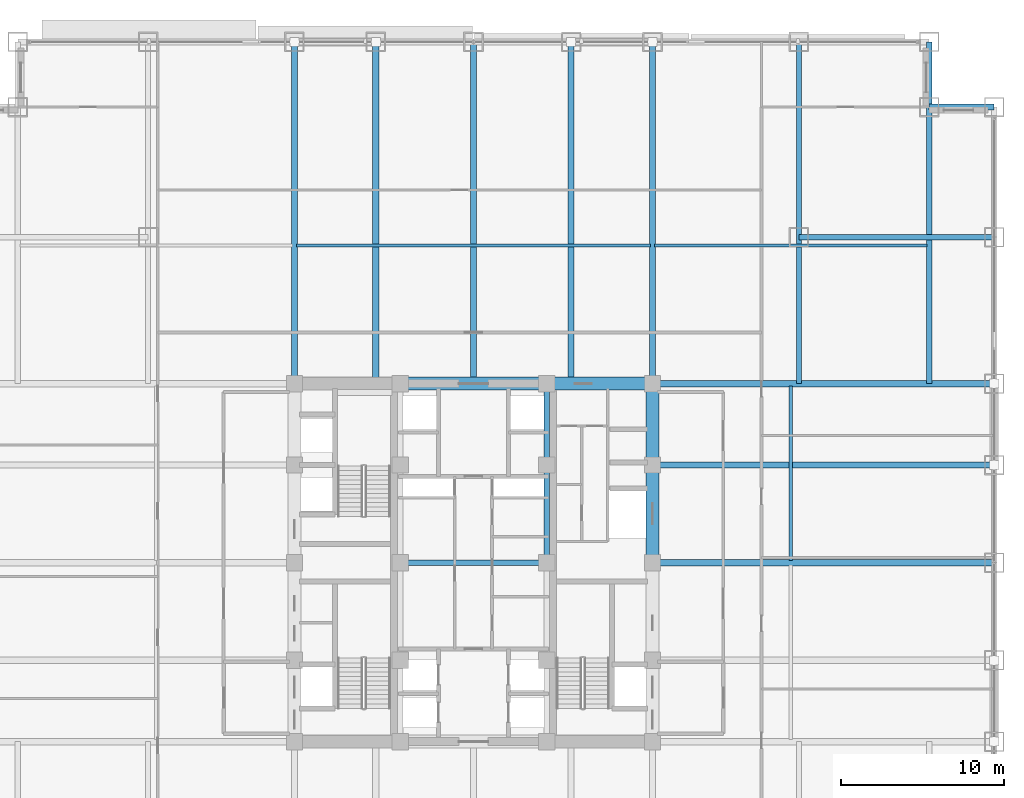
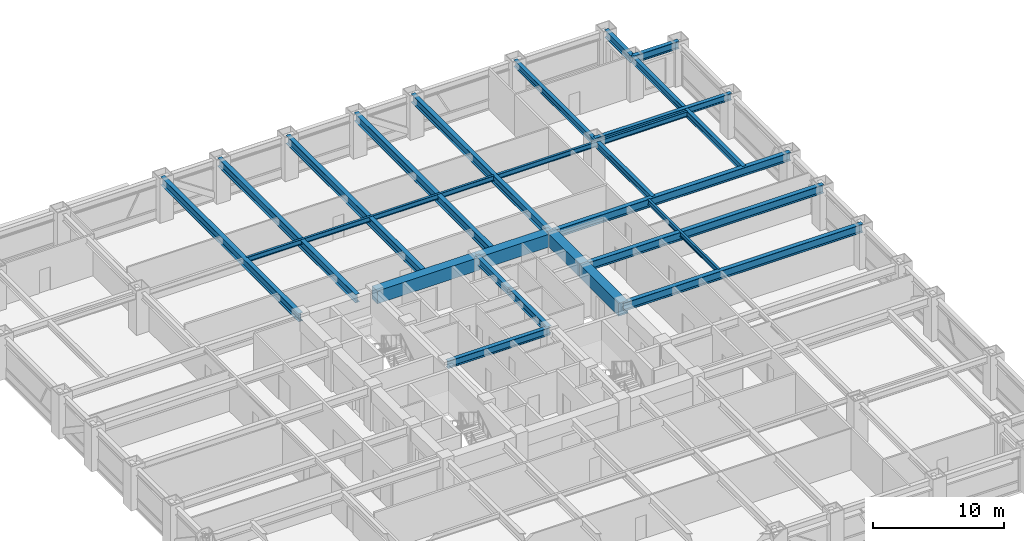
# One storey, part 11 of 32: 23 beams.
"""IFC4 building model written with IfcOpenShell, lengths in metres."""

import ifcopenshell
import ifcopenshell.guid

model = None  # the IFC model being written
_history = None  # IfcOwnerHistory: only IFC2X3 demands one
_inside = {}  # id of a spatial element -> (the spatial element, [elements in it])
_under = {}  # id of a project, library or spatial element -> (it, [spatial elements below it])
_declared = {}  # id of a project -> (the project, [libraries it declares])
_typed = {}  # id of a type object -> (the type object, [elements of that type])
_made_of = {}  # id of a material, layer set ... -> (it, [elements and type objects made of it])


def new_model(schema):
    """Start an empty IFC model of exactly this schema.

    Asked for "IFC4X3", IfcOpenShell would pick the latest addendum, in which some entities
    have other attributes; the version numbers below select the first issue.
    IFC2X3 requires an IfcOwnerHistory on every rooted entity: one is made here for all.
    """
    global model, _history
    if schema == "IFC4X3":
        model = ifcopenshell.file(schema_version=(4, 3, 0, 0))
    else:
        model = ifcopenshell.file(schema=schema)
    _inside.clear()
    _under.clear()
    _declared.clear()
    _typed.clear()
    _made_of.clear()
    _history = None
    if model.schema == "IFC2X3":
        org = make("IfcOrganization", Name="unknown")
        user = make(
            "IfcPersonAndOrganization",
            ThePerson=make("IfcPerson", FamilyName="unknown"),
            TheOrganization=org,
        )
        app = make(
            "IfcApplication",
            ApplicationDeveloper=org,
            Version="unknown",
            ApplicationFullName="unknown",
            ApplicationIdentifier="unknown",
        )
        _history = make(
            "IfcOwnerHistory",
            OwningUser=user,
            OwningApplication=app,
            ChangeAction="ADDED",
            CreationDate=0,
        )
    return model


def make(cls, **values):
    """One entity of the class cls with the attributes given. An attribute that is None is left unset."""
    return model.create_entity(
        cls, **{name: value for name, value in values.items() if value is not None}
    )


def rooted(cls, **values):
    """An entity with a GlobalId (a new one), such as an element, a storey or a relation."""
    return make(cls, GlobalId=ifcopenshell.guid.new(), OwnerHistory=_history, **values)


def si_unit(unit_type, name, prefix=None):
    """IfcSIUnit, for example si_unit("LENGTHUNIT", "METRE", prefix="MILLI")."""
    return make("IfcSIUnit", UnitType=unit_type, Prefix=prefix, Name=name)


def assignment(units):
    """IfcUnitAssignment: the units of a project."""
    return None if units is None else make("IfcUnitAssignment", Units=units)


def point(xyz):
    """IfcCartesianPoint."""
    return None if xyz is None else make("IfcCartesianPoint", Coordinates=xyz)


def direction(xyz):
    """IfcDirection."""
    return None if xyz is None else make("IfcDirection", DirectionRatios=xyz)


def frame(location, z_axis=None, x_axis=None):
    """IfcAxis2Placement3D, a coordinate frame: its origin and axes. An axis left out is left unset."""
    return make(
        "IfcAxis2Placement3D",
        Location=point(location),
        Axis=direction(z_axis),
        RefDirection=direction(x_axis),
    )


def frame_2d(location, x_axis=None):
    """IfcAxis2Placement2D, a coordinate frame in the plane: its origin and x axis."""
    return make(
        "IfcAxis2Placement2D", Location=point(location), RefDirection=direction(x_axis)
    )


def origin():
    """The frame at (0, 0, 0) with its axes left unset."""
    return frame((0.0, 0.0, 0.0))


def origin_2d():
    """The frame at (0, 0) in the plane with its x axis left unset."""
    return frame_2d((0.0, 0.0))


def place(relative_to, where):
    """IfcLocalPlacement: puts the frame where relative to a parent placement (None: the world)."""
    return make(
        "IfcLocalPlacement", PlacementRelTo=relative_to, RelativePlacement=where
    )


def context(
    kind, dimensions, precision=None, world=None, true_north=None, identifier=None
):
    """IfcGeometricRepresentationContext, for example the 3D "Model" context."""
    return make(
        "IfcGeometricRepresentationContext",
        ContextIdentifier=identifier,
        ContextType=kind,
        CoordinateSpaceDimension=dimensions,
        Precision=precision,
        WorldCoordinateSystem=world,
        TrueNorth=true_north,
    )


def subcontext(parent, identifier, kind, view, scale=None):
    """IfcGeometricRepresentationSubContext, for example "Body" below "Model"."""
    return make(
        "IfcGeometricRepresentationSubContext",
        ContextIdentifier=identifier,
        ContextType=kind,
        ParentContext=parent,
        TargetScale=scale,
        TargetView=view,
    )


def project(units=None, contexts=None):
    """IfcProject with its units and contexts."""
    return rooted(
        "IfcProject",
        Name="project",
        RepresentationContexts=contexts,
        UnitsInContext=assignment(units),
    )


def spatial(cls, under=None, at=None, **own):
    """A site, building, storey or space (cls), placed at a placement, below another one or the project."""
    s = rooted(cls, ObjectPlacement=at, **own)
    if under is not None:
        _under.setdefault(under.id(), (under, []))[1].append(s)
    return s


def profile(cls, at=None, kind="AREA", **sizes):
    """A parametric profile (cls). Its sizes go by their IFC names, for example OverallWidth=200.0."""
    return make(cls, ProfileType=kind, Position=at, **sizes)


def rectangle(**sizes):
    """IfcRectangleProfileDef."""
    return profile("IfcRectangleProfileDef", **sizes)


def i_section(**sizes):
    """IfcIShapeProfileDef."""
    return profile("IfcIShapeProfileDef", **sizes)


def extrude(swept, where, along, depth):
    """IfcExtrudedAreaSolid: the profile swept, set in the frame where, extruded along a direction by depth."""
    return make(
        "IfcExtrudedAreaSolid",
        SweptArea=swept,
        Position=where,
        ExtrudedDirection=direction(along),
        Depth=depth,
    )


def shape(context_of_items, identifier, shape_type, items):
    """IfcShapeRepresentation: the items that make up one representation, for example the "Body"."""
    return make(
        "IfcShapeRepresentation",
        ContextOfItems=context_of_items,
        RepresentationIdentifier=identifier,
        RepresentationType=shape_type,
        Items=items,
    )


def source(mapping_origin, context_of_items, identifier, shape_type, items):
    """IfcRepresentationMap: a shape defined once, which mapped items show again and again."""
    return make(
        "IfcRepresentationMap",
        MappingOrigin=mapping_origin,
        MappedRepresentation=shape(context_of_items, identifier, shape_type, items),
    )


def transform(
    local_origin,
    x_axis=None,
    y_axis=None,
    z_axis=None,
    scale=None,
    scale2=None,
    scale3=None,
    uniform=True,
):
    """IfcCartesianTransformationOperator3D, or its non-uniform kind. x_axis, y_axis, z_axis: its Axis1, 2, 3."""
    if uniform:
        return make(
            "IfcCartesianTransformationOperator3D",
            Axis1=direction(x_axis),
            Axis2=direction(y_axis),
            LocalOrigin=point(local_origin),
            Scale=scale,
            Axis3=direction(z_axis),
        )
    return make(
        "IfcCartesianTransformationOperator3DnonUniform",
        Axis1=direction(x_axis),
        Axis2=direction(y_axis),
        LocalOrigin=point(local_origin),
        Scale=scale,
        Axis3=direction(z_axis),
        Scale2=scale2,
        Scale3=scale3,
    )


def mapped(mapping_source, mapping_target):
    """IfcMappedItem: shows the shape of a source again, moved by a transform."""
    return make(
        "IfcMappedItem", MappingSource=mapping_source, MappingTarget=mapping_target
    )


def material(Name=None, Category=None):
    """IfcMaterial."""
    return make("IfcMaterial", Name=Name, Category=Category)


def material_profile(
    of_material, cross_section, Name=None, Category=None, Priority=None
):
    """IfcMaterialProfile: a cross section and its material."""
    return make(
        "IfcMaterialProfile",
        Name=Name,
        Material=of_material,
        Profile=cross_section,
        Priority=Priority,
        Category=Category,
    )


def profile_set(profiles, Name=None, composite=None):
    """IfcMaterialProfileSet."""
    return make(
        "IfcMaterialProfileSet",
        Name=Name,
        MaterialProfiles=profiles,
        CompositeProfile=composite,
    )


def made_of(thing, what):
    """Note that an element or type object is made of a material, layer set ...; save() writes the relation."""
    if what is not None:
        _made_of.setdefault(what.id(), (what, []))[1].append(thing)
    return thing


def type_object(cls, material=None, **own):
    """A type object (cls), such as IfcWallType, which elements share."""
    return made_of(rooted(cls, **own), material)


def element(
    cls,
    number,
    at=None,
    inside=None,
    cuts=None,
    type_object=None,
    material=None,
    context=None,
    identifier="Body",
    shape_type=None,
    held_by="IfcProductDefinitionShape",
    body=None,
    shapes=None,
    **own,
):
    """One element of the class cls, such as IfcWall. Its Tag is "e" and its number.

    at: its placement. inside: the storey or other place that contains it. cuts: it is an
    opening in that element (IfcRelVoidsElement). A single representation is given by context,
    identifier, shape_type and body (its items); several are given by shapes. held_by: the class
    of the entity that holds the representations. save() writes the other relations.
    """
    e = rooted(cls, Tag="e%d" % number, ObjectPlacement=at, **own)
    if body is not None:
        shapes = [shape(context, identifier, shape_type, body)]
    if shapes is not None:
        e.Representation = make(held_by, Representations=shapes)
    if inside is not None:
        _inside.setdefault(inside.id(), (inside, []))[1].append(e)
    if cuts is not None:
        rooted(
            "IfcRelVoidsElement", RelatingBuildingElement=cuts, RelatedOpeningElement=e
        )
    if type_object is not None:
        _typed.setdefault(type_object.id(), (type_object, []))[1].append(e)
    return made_of(e, material)


def aggregate(whole, parts):
    """IfcRelAggregates: a whole, such as a stair, and the parts it consists of."""
    return rooted("IfcRelAggregates", RelatingObject=whole, RelatedObjects=parts)


def save(model, path):
    """Write the relations noted so far, then the file.

    IfcRelAggregates (storeys below a building ...), IfcRelContainedInSpatialStructure (elements
    in a storey), IfcRelDefinesByType, IfcRelAssociatesMaterial and IfcRelDeclares: one each for
    every whole, place, type object, material and project.
    """
    for whole, parts in _under.values():
        aggregate(whole, parts)
    for where, things in _inside.values():
        rooted(
            "IfcRelContainedInSpatialStructure",
            RelatedElements=things,
            RelatingStructure=where,
        )
    for kind, things in _typed.values():
        rooted("IfcRelDefinesByType", RelatedObjects=things, RelatingType=kind)
    for what, things in _made_of.values():
        rooted("IfcRelAssociatesMaterial", RelatedObjects=things, RelatingMaterial=what)
    for by, libraries in _declared.values():
        rooted("IfcRelDeclares", RelatingContext=by, RelatedDefinitions=libraries)
    model.write(path)


model = new_model("IFC4")

# Units and contexts
model_context = context("Model", 3, precision=1e-05, world=origin(), true_north=direction((0.0, 1.0)))
body_context = subcontext(model_context, "Body", "Model", "MODEL_VIEW")
ifc_project = project(units=[si_unit("LENGTHUNIT", "METRE"), si_unit("AREAUNIT", "SQUARE_METRE"), si_unit("VOLUMEUNIT", "CUBIC_METRE"), si_unit("PLANEANGLEUNIT", "RADIAN"), si_unit("MASSUNIT", "GRAM", prefix="KILO")], contexts=[model_context])

# Site, building, storey
site_placement = place(None, origin())
site = spatial("IfcSite", under=ifc_project, at=site_placement, CompositionType="ELEMENT")
building_placement = place(site_placement, origin())
building = spatial("IfcBuilding", under=site, at=building_placement, Name="Khorayat Bourse Tower", CompositionType="ELEMENT")
storey_placement = place(building_placement, frame((0.0, 0.0, 99.60009765625)))
storey = spatial("IfcBuildingStorey", under=building, at=storey_placement, Name="L22", CompositionType="ELEMENT", Elevation=99.60009765625)

# Beams
ifc_material_1 = material(Name="Concrete C72/90", Category="concrete")
ifc_material_profile_1 = material_profile(ifc_material_1, rectangle(XDim=0.800048828125, YDim=1.199951171875, at=origin_2d()), Name="RC 800x1200")
ifc_profile_set_1 = profile_set([ifc_material_profile_1], Name="Concrete C72/90")
beam_type_1 = type_object("IfcBeamType", Name="BM-COUP-1200", PredefinedType="BEAM", material=ifc_profile_set_1)
shared_shape_1 = source(origin(), body_context, "Body", "SweptSolid", [
    extrude(rectangle(XDim=0.800048828125, YDim=1.199951171875, at=origin_2d()), origin(), (0.0, 0.0, 1.0), 5.0),
])
beam_1_placement = place(storey_placement, frame((11.0, 6.0, 3.239990234375), z_axis=(0.0, 1.0, 0.0), x_axis=(-1.0, 0.0, 0.0)))
element("IfcBeam", 1, at=beam_1_placement, inside=storey, type_object=beam_type_1, Name="L22 BM-COUP-1200 BM-L22-CRX-16", PredefinedType="BEAM", context=body_context, shape_type="MappedRepresentation", body=[
    mapped(shared_shape_1, transform((0.0, 0.0, 0.0), scale=1.0)),
])
shared_shape_2 = source(origin(), body_context, "Body", "SweptSolid", [
    extrude(rectangle(XDim=0.800048828125, YDim=1.199951171875, at=origin_2d()), origin(), (0.0, 0.0, 1.0), 6.0),
])
beam_2_placement = place(storey_placement, frame((11.0, 0.0, 3.239990234375), z_axis=(0.0, 1.0, 0.0), x_axis=(-1.0, 0.0, 0.0)))
element("IfcBeam", 2, at=beam_2_placement, inside=storey, type_object=beam_type_1, Name="L22 BM-COUP-1200 BM-L22-CRX-15", PredefinedType="BEAM", context=body_context, shape_type="MappedRepresentation", body=[
    mapped(shared_shape_2, transform((0.0, 0.0, 0.0), scale=1.0)),
])
ifc_material_2 = material(Name="Steel ASTM A992 Grade 50", Category="steel")
ifc_material_profile_2 = material_profile(ifc_material_2, i_section(OverallWidth=0.35498046875, OverallDepth=0.695068359375, WebThickness=0.015380859375, FlangeThickness=0.02490234375, FilletRadius=0.01806640625, at=origin_2d()), Name="W690X217")
ifc_profile_set_2 = profile_set([ifc_material_profile_2], Name="Steel ASTM A992 Grade 50")
beam_type_2 = type_object("IfcBeamType", Name="BM-GIRD-690", PredefinedType="BEAM", material=ifc_profile_set_2)
shared_shape_3 = source(origin(), body_context, "Body", "SweptSolid", [
    extrude(i_section(OverallWidth=0.35498046875, OverallDepth=0.695068359375, WebThickness=0.015380859375, FlangeThickness=0.02490234375, FilletRadius=0.01806640625, at=origin_2d()), origin(), (0.0, 0.0, 1.0), 5.0),
])
beam_3_placement = place(storey_placement, frame((4.5, 6.0, 3.492431640625), z_axis=(0.0, 1.0, 0.0), x_axis=(-1.0, 0.0, 0.0)))
element("IfcBeam", 3, at=beam_3_placement, inside=storey, type_object=beam_type_2, Name="L22 BM-GIRD-690 BM-L22-CRX-12", PredefinedType="BEAM", context=body_context, shape_type="MappedRepresentation", body=[
    mapped(shared_shape_3, transform((0.0, 0.0, 0.0), scale=1.0)),
])
shared_shape_4 = source(origin(), body_context, "Body", "SweptSolid", [
    extrude(i_section(OverallWidth=0.35498046875, OverallDepth=0.695068359375, WebThickness=0.015380859375, FlangeThickness=0.02490234375, FilletRadius=0.01806640625, at=origin_2d()), origin(), (0.0, 0.0, 1.0), 6.0),
])
beam_4_placement = place(storey_placement, frame((4.5, 0.0, 3.492431640625), z_axis=(0.0, 1.0, 0.0), x_axis=(-1.0, 0.0, 0.0)))
element("IfcBeam", 4, at=beam_4_placement, inside=storey, type_object=beam_type_2, Name="L22 BM-GIRD-690 BM-L22-CRX-11", PredefinedType="BEAM", context=body_context, shape_type="MappedRepresentation", body=[
    mapped(shared_shape_4, transform((0.0, 0.0, 0.0), scale=1.0)),
])
shared_shape_5 = source(origin(), body_context, "Body", "SweptSolid", [
    extrude(rectangle(XDim=0.800048828125, YDim=1.199951171875, at=origin_2d()), origin(), (0.0, 0.0, 1.0), 6.5),
])
beam_5_placement = place(storey_placement, frame((4.5, 11.0, 3.239990234375), z_axis=(1.0, 0.0, 0.0), x_axis=(0.0, 1.0, 0.0)))
element("IfcBeam", 5, at=beam_5_placement, inside=storey, type_object=beam_type_1, Name="L22 BM-COUP-1200 BM-L22-CRY-22", PredefinedType="BEAM", context=body_context, shape_type="MappedRepresentation", body=[
    mapped(shared_shape_5, transform((0.0, 0.0, 0.0), scale=1.0)),
])
shared_shape_6 = source(origin(), body_context, "Body", "SweptSolid", [
    extrude(rectangle(XDim=0.800048828125, YDim=1.199951171875, at=origin_2d()), origin(), (0.0, 0.0, 1.0), 9.0),
])
beam_6_placement = place(storey_placement, frame((-4.5, 11.0, 3.239990234375), z_axis=(1.0, 0.0, 0.0), x_axis=(0.0, 1.0, 0.0)))
element("IfcBeam", 6, at=beam_6_placement, inside=storey, type_object=beam_type_1, Name="L22 BM-COUP-1200 BM-L22-CRY-21", PredefinedType="BEAM", context=body_context, shape_type="MappedRepresentation", body=[
    mapped(shared_shape_6, transform((0.0, 0.0, 0.0), scale=1.0)),
])
shared_shape_7 = source(origin(), body_context, "Body", "SweptSolid", [
    extrude(i_section(OverallWidth=0.35498046875, OverallDepth=0.695068359375, WebThickness=0.015380859375, FlangeThickness=0.02490234375, FilletRadius=0.01806640625, at=origin_2d()), origin(), (0.0, 0.0, 1.0), 9.0),
])
beam_7_placement = place(storey_placement, frame((-4.5, 0.0, 3.492431640625), z_axis=(1.0, 0.0, 0.0), x_axis=(0.0, 1.0, 0.0)))
element("IfcBeam", 7, at=beam_7_placement, inside=storey, type_object=beam_type_2, Name="L22 BM-GIRD-690 BM-L22-CRY-23", PredefinedType="BEAM", context=body_context, shape_type="MappedRepresentation", body=[
    mapped(shared_shape_7, transform((0.0, 0.0, 0.0), scale=1.0)),
])
ifc_material_profile_3 = material_profile(ifc_material_2, i_section(OverallWidth=0.324951171875, OverallDepth=0.615966796875, WebThickness=0.013916015625, FlangeThickness=0.021484375, FilletRadius=0.01611328125, at=origin_2d()), Name="W610X174")
ifc_profile_set_3 = profile_set([ifc_material_profile_3], Name="Steel ASTM A992 Grade 50")
beam_type_3 = type_object("IfcBeamType", Name="BM-GIRD-610", PredefinedType="BEAM", material=ifc_profile_set_3)
shared_shape_8 = source(origin(), body_context, "Body", "SweptSolid", [
    extrude(i_section(OverallWidth=0.324951171875, OverallDepth=0.615966796875, WebThickness=0.013916015625, FlangeThickness=0.021484375, FilletRadius=0.01611328125, at=origin_2d()), origin(), (0.0, 0.0, 1.0), 21.0),
])
beam_8_placement = place(storey_placement, frame((20.0, 11.0, 3.531982421875), z_axis=(0.0, 1.0, 0.0), x_axis=(-1.0, 0.0, 0.0)))
element("IfcBeam", 8, at=beam_8_placement, inside=storey, type_object=beam_type_3, Name="L22 BM-GIRD-610 BM-L22-CNRY-087", PredefinedType="BEAM", context=body_context, shape_type="MappedRepresentation", body=[
    mapped(shared_shape_8, transform((0.0, 0.0, 0.0), scale=1.0)),
])
shared_shape_9 = source(origin(), body_context, "Body", "SweptSolid", [
    extrude(i_section(OverallWidth=0.324951171875, OverallDepth=0.615966796875, WebThickness=0.013916015625, FlangeThickness=0.021484375, FilletRadius=0.01611328125, at=origin_2d()), origin(), (0.0, 0.0, 1.0), 12.0),
])
beam_9_placement = place(storey_placement, frame((20.0, 20.0, 3.531982421875), z_axis=(1.0, 0.0, 0.0), x_axis=(0.0, 1.0, 0.0)))
element("IfcBeam", 9, at=beam_9_placement, inside=storey, type_object=beam_type_3, Name="L22 BM-GIRD-610 BM-L22-CNRX-094", PredefinedType="BEAM", context=body_context, shape_type="MappedRepresentation", body=[
    mapped(shared_shape_9, transform((0.0, 0.0, 0.0), scale=1.0)),
])
ifc_material_profile_4 = material_profile(ifc_material_2, i_section(OverallWidth=0.194091796875, OverallDepth=0.468994140625, WebThickness=0.0126953125, FlangeThickness=0.0205078125, FilletRadius=0.012939453125, at=origin_2d()), Name="W460X106")
ifc_profile_set_4 = profile_set([ifc_material_profile_4], Name="Steel ASTM A992 Grade 50")
beam_type_4 = type_object("IfcBeamType", Name="BM-JOIST-460", PredefinedType="JOIST", material=ifc_profile_set_4)
shared_shape_10 = source(origin(), body_context, "Body", "SweptSolid", [
    extrude(i_section(OverallWidth=0.194091796875, OverallDepth=0.468994140625, WebThickness=0.0126953125, FlangeThickness=0.0205078125, FilletRadius=0.012939453125, at=origin_2d()), origin(), (0.0, 0.0, 1.0), 21.740234375),
])
beam_10_placement = place(storey_placement, frame((-10.8701171875, 19.5, 3.60546875), z_axis=(1.0, 0.0, 0.0), x_axis=(0.0, 1.0, 0.0)))
element("IfcBeam", 10, at=beam_10_placement, inside=storey, type_object=beam_type_4, Name="L22 BM-JOIST-460 BM-L22-JSTX-100", PredefinedType="JOIST", context=body_context, shape_type="MappedRepresentation", body=[
    mapped(shared_shape_10, transform((0.0, 0.0, 0.0), scale=1.0)),
])
shared_shape_11 = source(origin(), body_context, "Body", "SweptSolid", [
    extrude(i_section(OverallWidth=0.194091796875, OverallDepth=0.468994140625, WebThickness=0.0126953125, FlangeThickness=0.0205078125, FilletRadius=0.012939453125, at=origin_2d()), origin(), (0.0, 0.0, 1.0), 10.740234375),
])
beam_11_placement = place(storey_placement, frame((19.5, 0.1298828125, 3.60546875), z_axis=(0.0, 1.0, 0.0), x_axis=(-1.0, 0.0, 0.0)))
element("IfcBeam", 11, at=beam_11_placement, inside=storey, type_object=beam_type_4, Name="L22 BM-JOIST-460 BM-L22-JSTY-105", PredefinedType="JOIST", context=body_context, shape_type="MappedRepresentation", body=[
    mapped(shared_shape_11, transform((0.0, 0.0, 0.0), scale=1.0)),
])
ifc_material_profile_5 = material_profile(ifc_material_2, i_section(OverallWidth=0.35498046875, OverallDepth=0.695068359375, WebThickness=0.015380859375, FlangeThickness=0.02490234375, FilletRadius=0.01806640625, at=origin_2d()), Name="W690X217")
ifc_profile_set_5 = profile_set([ifc_material_profile_5], Name="Steel ASTM A992 Grade 50")
beam_type_5 = type_object("IfcBeamType", Name="BM-SPAN-690", PredefinedType="SPANDREL", material=ifc_profile_set_5)
shared_shape_12 = source(origin(), body_context, "Body", "SweptSolid", [
    extrude(i_section(OverallWidth=0.35498046875, OverallDepth=0.695068359375, WebThickness=0.015380859375, FlangeThickness=0.02490234375, FilletRadius=0.01806640625, at=origin_2d()), origin(), (0.0, 0.0, 1.0), 4.0),
])
for number, where, z_axis, x_axis, name in (
    (12, (28.0, 28.0, 3.492431640625), (1.0, 0.0, 0.0), (0.0, 1.0, 0.0), "L22 BM-SPAN-690 BM-L22-SPN-042"),
    (13, (28.0, 28.0, 3.492431640625), (0.0, 1.0, 0.0), (-1.0, 0.0, 0.0), "L22 BM-SPAN-690 BM-L22-SPN-043"),
):
    element("IfcBeam", number, at=place(storey_placement, frame(where, z_axis=z_axis, x_axis=x_axis)), inside=storey, type_object=beam_type_5, Name=name, PredefinedType="SPANDREL", context=body_context, shape_type="MappedRepresentation", body=[
        mapped(shared_shape_12, transform((0.0, 0.0, 0.0), scale=1.0)),
    ])
ifc_material_profile_6 = material_profile(ifc_material_2, i_section(OverallWidth=0.381103515625, OverallDepth=0.77294921875, WebThickness=0.0166015625, FlangeThickness=0.027587890625, FilletRadius=0.01806640625, at=origin_2d()), Name="W760X257")
ifc_profile_set_6 = profile_set([ifc_material_profile_6], Name="Steel ASTM A992 Grade 50")
beam_type_6 = type_object("IfcBeamType", Name="BM-GIRD-760", PredefinedType="BEAM", material=ifc_profile_set_6)
shared_shape_13 = source(origin(), body_context, "Body", "SweptSolid", [
    extrude(i_section(OverallWidth=0.381103515625, OverallDepth=0.77294921875, WebThickness=0.0166015625, FlangeThickness=0.027587890625, FilletRadius=0.01806640625, at=origin_2d()), origin(), (0.0, 0.0, 1.0), 21.0),
])
for number, where, z_axis, x_axis, name in (
    (14, (-11.0, 11.0, 3.453369140625), (0.0, 1.0, 0.0), (-1.0, 0.0, 0.0), "L22 BM-GIRD-760 BM-L22-RADY-064"),
    (15, (-6.0, 11.0, 3.453369140625), (0.0, 1.0, 0.0), (-1.0, 0.0, 0.0), "L22 BM-GIRD-760 BM-L22-RADY-066"),
    (16, (0.0, 11.0, 3.453369140625), (0.0, 1.0, 0.0), (-1.0, 0.0, 0.0), "L22 BM-GIRD-760 BM-L22-RADY-068"),
    (17, (6.0, 11.0, 3.453369140625), (0.0, 1.0, 0.0), (-1.0, 0.0, 0.0), "L22 BM-GIRD-760 BM-L22-RADY-070"),
    (18, (11.0, 11.0, 3.453369140625), (0.0, 1.0, 0.0), (-1.0, 0.0, 0.0), "L22 BM-GIRD-760 BM-L22-RADY-072"),
    (19, (11.0, 0.0, 3.453369140625), (1.0, 0.0, 0.0), (0.0, 1.0, 0.0), "L22 BM-GIRD-760 BM-L22-RADX-078"),
    (20, (11.0, 6.0, 3.453369140625), (1.0, 0.0, 0.0), (0.0, 1.0, 0.0), "L22 BM-GIRD-760 BM-L22-RADX-080"),
    (21, (11.0, 11.0, 3.453369140625), (1.0, 0.0, 0.0), (0.0, 1.0, 0.0), "L22 BM-GIRD-760 BM-L22-RADX-082"),
):
    element("IfcBeam", number, at=place(storey_placement, frame(where, z_axis=z_axis, x_axis=x_axis)), inside=storey, type_object=beam_type_6, Name=name, PredefinedType="BEAM", context=body_context, shape_type="MappedRepresentation", body=[
        mapped(shared_shape_13, transform((0.0, 0.0, 0.0), scale=1.0)),
    ])
shared_shape_14 = source(origin(), body_context, "Body", "SweptSolid", [
    extrude(i_section(OverallWidth=0.324951171875, OverallDepth=0.615966796875, WebThickness=0.013916015625, FlangeThickness=0.021484375, FilletRadius=0.01611328125, at=origin_2d()), origin(), (0.0, 0.0, 1.0), 17.0),
])
beam_12_placement = place(storey_placement, frame((28.0, 11.0, 3.531982421875), z_axis=(0.0, 1.0, 0.0), x_axis=(-1.0, 0.0, 0.0)))
element("IfcBeam", 22, at=beam_12_placement, inside=storey, type_object=beam_type_3, Name="L22 BM-GIRD-610 BM-L22-CNRY-091", PredefinedType="BEAM", context=body_context, shape_type="MappedRepresentation", body=[
    mapped(shared_shape_14, transform((0.0, 0.0, 0.0), scale=1.0)),
])
shared_shape_15 = source(origin(), body_context, "Body", "SweptSolid", [
    extrude(i_section(OverallWidth=0.194091796875, OverallDepth=0.468994140625, WebThickness=0.0126953125, FlangeThickness=0.0205078125, FilletRadius=0.012939453125, at=origin_2d()), origin(), (0.0, 0.0, 1.0), 16.740234375),
])
beam_13_placement = place(storey_placement, frame((11.1298828125, 19.5, 3.60546875), z_axis=(1.0, 0.0, 0.0), x_axis=(0.0, 1.0, 0.0)))
element("IfcBeam", 23, at=beam_13_placement, inside=storey, type_object=beam_type_4, Name="L22 BM-JOIST-460 BM-L22-JSTX-101", PredefinedType="JOIST", context=body_context, shape_type="MappedRepresentation", body=[
    mapped(shared_shape_15, transform((0.0, 0.0, 0.0), scale=1.0)),
])

save(model, "model.ifc")
